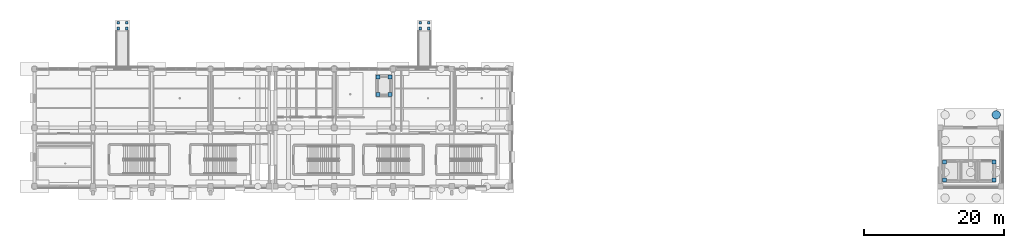
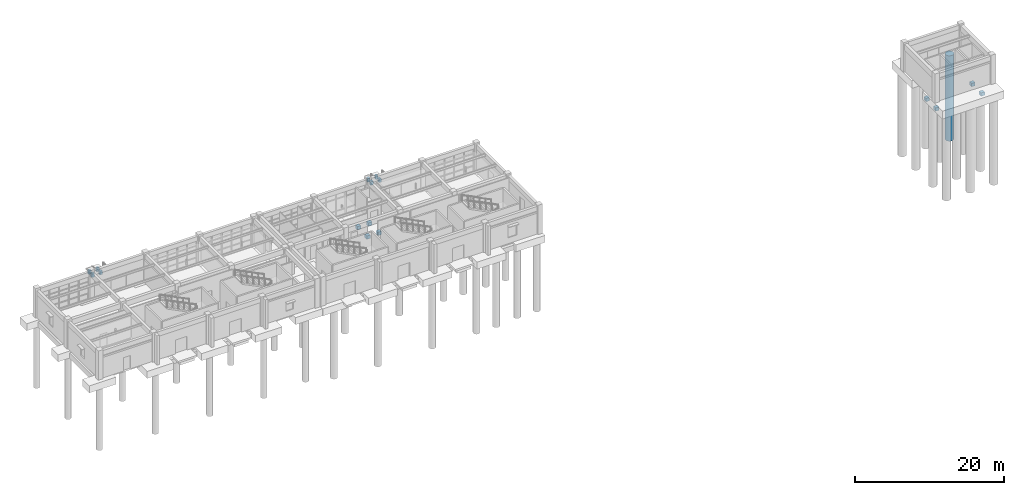
# One storey, part 2 of 29: 16 footings, 1 pile.
"""IFC4 building model written with IfcOpenShell, lengths in metres."""

from ifc_helpers import new_model, si_unit, direction, frame, origin, origin_2d, place, context, subcontext, project, spatial, rectangle, circle, extrude, material, material_profile, profile_set, type_object, element, save


model = new_model("IFC4")

# Units and contexts
model_context = context("Model", 3, precision=1e-05, world=origin(), true_north=direction((0.0, 1.0)))
body_context = subcontext(model_context, "Body", "Model", "MODEL_VIEW")
ifc_project = project(units=[si_unit("LENGTHUNIT", "METRE"), si_unit("AREAUNIT", "SQUARE_METRE"), si_unit("VOLUMEUNIT", "CUBIC_METRE"), si_unit("PLANEANGLEUNIT", "RADIAN"), si_unit("MASSUNIT", "GRAM", prefix="KILO")], contexts=[model_context])

# Site, building, storey
site_placement = place(None, origin())
site = spatial("IfcSite", under=ifc_project, at=site_placement, CompositionType="ELEMENT")
building_placement = place(site_placement, origin())
building = spatial("IfcBuilding", under=site, at=building_placement, Name="Canglan Escarpment Cableway Terminal", CompositionType="ELEMENT")
storey_placement = place(building_placement, origin())
storey = spatial("IfcBuildingStorey", under=building, at=storey_placement, Name="L00", CompositionType="ELEMENT", Elevation=0.0)

# Footings
ifc_material = material(Name="Concrete C40", Category="concrete")
footing_type_1 = type_object("IfcFootingType", Name="FTG-PAD-380x380x600", PredefinedType="PAD_FOOTING", material=ifc_material)
for number, where, z_axis, x_axis, name in (
    (1, (19.97998046875, 30.580078125, -1.25), (0.0, 0.0, 1.0), (1.0, 0.0, 0.0), "Reinforced concrete auxiliary pad footing PF-12"),
    (2, (21.219970703125, 30.580078125, -1.25), (0.0, 0.0, 1.0), (1.0, 0.0, 0.0), "Reinforced concrete auxiliary pad footing PF-12"),
    (3, (21.219970703125, 31.419921875, -1.25), (0.0, 0.0, 1.0), (1.0, 0.0, 0.0), "Reinforced concrete auxiliary pad footing PF-12"),
    (4, (19.97998046875, 31.419921875, -1.25), (0.0, 0.0, 1.0), (1.0, 0.0, 0.0), "Reinforced concrete auxiliary pad footing PF-12"),
    (5, (63.179931640625, 30.580078125, -1.25), (0.0, 0.0, 1.0), (1.0, 0.0, 0.0), "Reinforced concrete auxiliary pad footing PF-12"),
    (6, (64.419921875, 30.580078125, -1.25), (0.0, 0.0, 1.0), (1.0, 0.0, 0.0), "Reinforced concrete auxiliary pad footing PF-12"),
    (7, (64.419921875, 31.419921875, -1.25), (0.0, 0.0, 1.0), (1.0, 0.0, 0.0), "Reinforced concrete auxiliary pad footing PF-12"),
    (8, (63.179931640625, 31.419921875, -1.25), (0.0, 0.0, 1.0), (1.0, 0.0, 0.0), "Reinforced concrete auxiliary pad footing PF-12"),
):
    element("IfcFooting", number, at=place(storey_placement, frame(where, z_axis=z_axis, x_axis=x_axis)), inside=storey, type_object=footing_type_1, Name=name, PredefinedType="PAD_FOOTING", context=body_context, shape_type="SweptSolid", body=[
        extrude(rectangle(XDim=0.3798828125, YDim=0.3798828125, at=origin_2d()), origin(), (0.0, 0.0, 1.0), 0.60009765625),
    ])
footing_type_2 = type_object("IfcFootingType", Name="FTG-PAD-550x550x550", PredefinedType="PAD_FOOTING", material=ifc_material)
for number, where, z_axis, x_axis, name in (
    (9, (138.219970703125, 8.919921875, -2.18994140625), (0.0, 0.0, 1.0), (1.0, 0.0, 0.0), "Reinforced concrete auxiliary pad footing PF-14"),
    (10, (145.280029296875, 8.919921875, -2.18994140625), (0.0, 0.0, 1.0), (1.0, 0.0, 0.0), "Reinforced concrete auxiliary pad footing PF-14"),
    (11, (145.280029296875, 11.47998046875, -2.18994140625), (0.0, 0.0, 1.0), (1.0, 0.0, 0.0), "Reinforced concrete auxiliary pad footing PF-14"),
    (12, (138.219970703125, 11.47998046875, -2.18994140625), (0.0, 0.0, 1.0), (1.0, 0.0, 0.0), "Reinforced concrete auxiliary pad footing PF-14"),
    (13, (57.139892578125, 21.139892578125, -2.18994140625), (0.0, 0.0, 1.0), (1.0, 0.0, 0.0), "Reinforced concrete auxiliary pad footing PF-14"),
    (14, (58.860107421875, 21.139892578125, -2.18994140625), (0.0, 0.0, 1.0), (1.0, 0.0, 0.0), "Reinforced concrete auxiliary pad footing PF-14"),
    (15, (58.860107421875, 23.659912109375, -2.18994140625), (0.0, 0.0, 1.0), (1.0, 0.0, 0.0), "Reinforced concrete auxiliary pad footing PF-14"),
    (16, (57.139892578125, 23.659912109375, -2.18994140625), (0.0, 0.0, 1.0), (1.0, 0.0, 0.0), "Reinforced concrete auxiliary pad footing PF-14"),
):
    element("IfcFooting", number, at=place(storey_placement, frame(where, z_axis=z_axis, x_axis=x_axis)), inside=storey, type_object=footing_type_2, Name=name, PredefinedType="PAD_FOOTING", context=body_context, shape_type="SweptSolid", body=[
        extrude(rectangle(XDim=0.550048828125, YDim=0.550048828125, at=origin_2d()), origin(), (0.0, 0.0, 1.0), 0.550048828125),
    ])

# Pile
ifc_material_profile = material_profile(ifc_material, circle(Radius=0.60009765625, at=origin_2d()), Name="BORED PILE D1200")
ifc_profile_set = profile_set([ifc_material_profile], Name="Concrete C40")
pile_type = type_object("IfcPileType", Name="PILE-D1200", PredefinedType="BORED", material=ifc_profile_set)
pile_placement = place(storey_placement, frame((145.610107421875, 18.22998046875, -1.159912109375), z_axis=(0.0, 0.0, -1.0), x_axis=(1.0, 0.0, 0.0)))
element("IfcPile", 17, at=pile_placement, inside=storey, type_object=pile_type, Name="Rock-socketed bored pile P-04", PredefinedType="BORED", context=body_context, shape_type="SweptSolid", body=[
    extrude(circle(Radius=0.60009765625, at=origin_2d()), origin(), (0.0, 0.0, 1.0), 14.0),
])

save(model, "model.ifc")
